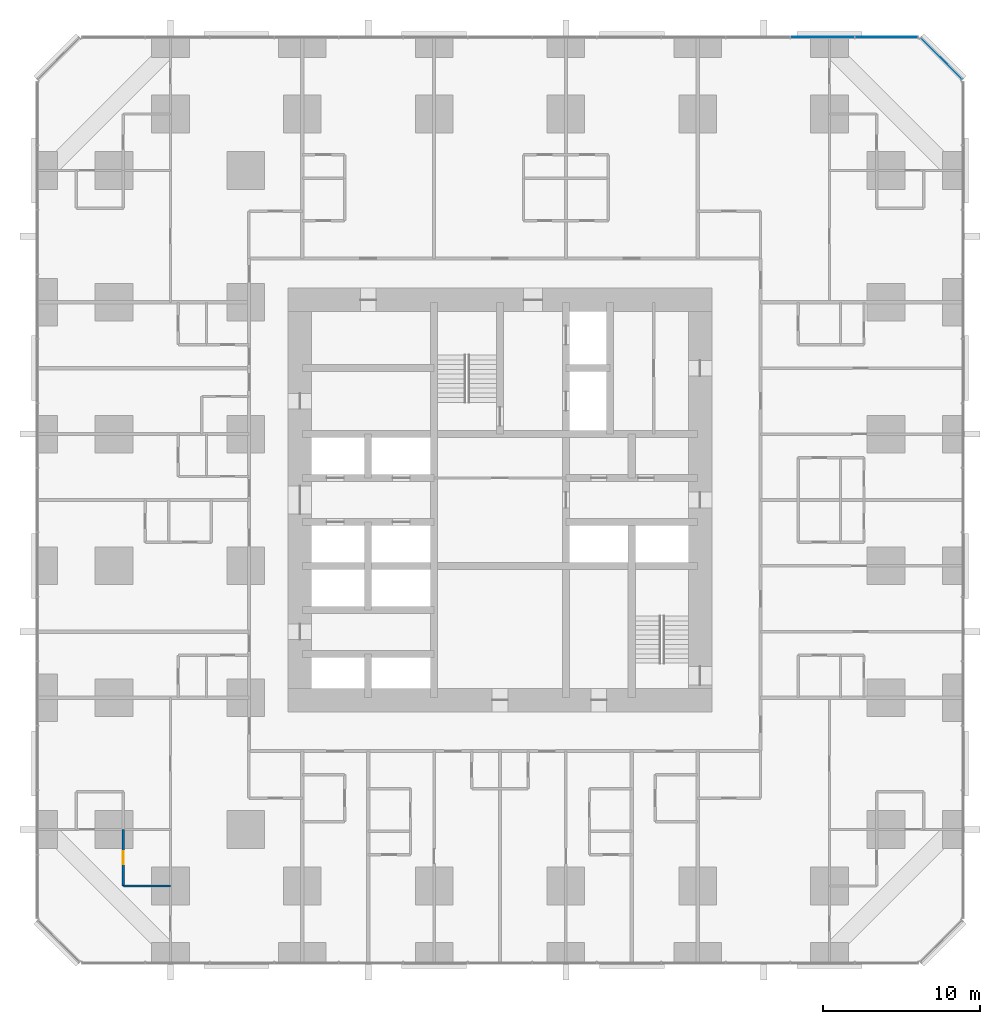
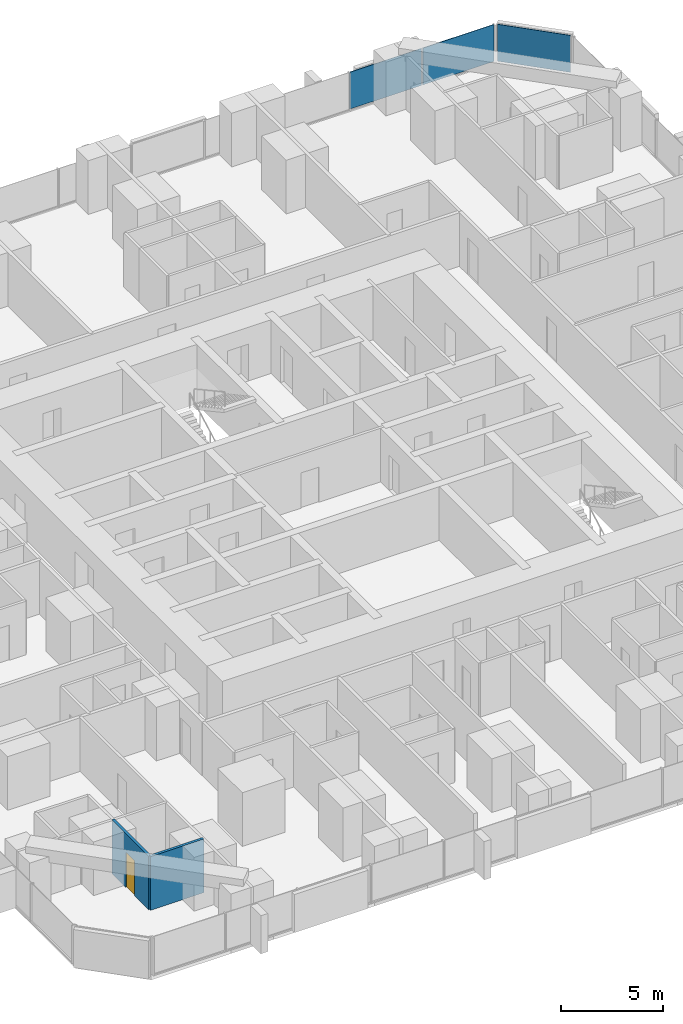
# One storey, part 9 of 16: 3 plates, 2 walls, 1 door, 1 opening, 2 elements without a shape of their own.
"""IFC4 building model written with IfcOpenShell, lengths in metres."""

from ifc_helpers import new_model, si_unit, direction, frame, frame_2d, origin, origin_2d, place, context, subcontext, project, spatial, rectangle, extrude, material, layer, layer_set, type_object, element, fill, aggregate, save


model = new_model("IFC4")

# Units and contexts
model_context = context("Model", 3, precision=1e-05, world=origin(), true_north=direction((0.0, 1.0)))
body_context = subcontext(model_context, "Body", "Model", "MODEL_VIEW")
ifc_project = project(units=[si_unit("LENGTHUNIT", "METRE"), si_unit("AREAUNIT", "SQUARE_METRE"), si_unit("VOLUMEUNIT", "CUBIC_METRE"), si_unit("PLANEANGLEUNIT", "RADIAN"), si_unit("MASSUNIT", "GRAM", prefix="KILO")], contexts=[model_context])

# Site, building, storey
site_placement = place(None, origin())
site = spatial("IfcSite", under=ifc_project, at=site_placement, CompositionType="ELEMENT")
building_placement = place(site_placement, origin())
building = spatial("IfcBuilding", under=site, at=building_placement, Name="Dunama Terrace Hotel", CompositionType="ELEMENT")
storey_placement = place(building_placement, frame((0.0, 0.0, 84.60009765625)))
storey = spatial("IfcBuildingStorey", under=building, at=storey_placement, Name="L21", CompositionType="ELEMENT", Elevation=84.60009765625)

# Curtain wall, plate
ifc_material_1 = material(Name="Aluminium curtain wall system", Category="aluminium")
curtain_wall_type = type_object("IfcCurtainWallType", Name="Unitised fritted glass wall CW-A", PredefinedType="NOTDEFINED", material=ifc_material_1)
curtain_wall_1_placement = place(storey_placement, origin())
curtain_wall_1 = element("IfcCurtainWall", 1, at=curtain_wall_1_placement, inside=storey, type_object=curtain_wall_type, Name="Unitised fritted glass wall CW-A L21", PredefinedType="NOTDEFINED")
ifc_material_2 = material(Name="Laminated glass", Category="glass")
ifc_layer_1 = layer(ifc_material_2, 0.030029296875)
ifc_layer_set_1 = layer_set([ifc_layer_1], Name="CWA clear glass panel")
plate_type_1 = type_object("IfcPlateType", Name="CWA clear glass panel", PredefinedType="CURTAIN_PANEL", material=ifc_layer_set_1)
plate_1_placement = place(storey_placement, frame((57.52099609375, 57.52099609375, 0.074951171875), z_axis=(0.0, 0.0, 1.0), x_axis=(-0.707106781187, 0.707106781187, 0.0)))
plate_1 = element("IfcPlate", 2, at=plate_1_placement, type_object=plate_type_1, Name="CWA clear glass panel", PredefinedType="CURTAIN_PANEL", context=body_context, shape_type="SweptSolid", body=[
    extrude(rectangle(XDim=3.6884765625, YDim=0.030029296875, at=origin_2d()), origin(), (0.0, 0.0, 1.0), 2.2041015625),
])
aggregate(curtain_wall_1, [plate_1])

# Curtain wall, plates
curtain_wall_2_placement = place(storey_placement, origin())
curtain_wall_2 = element("IfcCurtainWall", 3, at=curtain_wall_2_placement, inside=storey, type_object=curtain_wall_type, Name="Unitised fritted glass wall CW-A L21", PredefinedType="NOTDEFINED")
ifc_material_3 = material(Name="Fritted laminated glass", Category="glass")
ifc_layer_2 = layer(ifc_material_3, 0.030029296875)
ifc_layer_set_2 = layer_set([ifc_layer_2], Name="CWA fritted glass panel")
plate_type_2 = type_object("IfcPlateType", Name="CWA fritted glass panel", PredefinedType="CURTAIN_PANEL", material=ifc_layer_set_2)
plate_2_placement = place(storey_placement, frame((49.93798828125, 58.89990234375, 0.074951171875), z_axis=(0.0, 0.0, 1.0), x_axis=(-1.0, 0.0, 0.0)))
plate_2 = element("IfcPlate", 4, at=plate_2_placement, type_object=plate_type_2, Name="CWA fritted glass panel", PredefinedType="CURTAIN_PANEL", context=body_context, shape_type="SweptSolid", body=[
    extrude(rectangle(XDim=4.042724609375, YDim=0.030029296875, at=origin_2d()), origin(), (0.0, 0.0, 1.0), 2.2041015625),
])
ifc_material_4 = material(Name="Laminated glass", Category="glass")
ifc_layer_3 = layer(ifc_material_4, 0.030029296875)
ifc_layer_set_3 = layer_set([ifc_layer_3], Name="CWA operable glass panel")
plate_type_3 = type_object("IfcPlateType", Name="CWA operable glass panel", PredefinedType="CURTAIN_PANEL", material=ifc_layer_set_3)
plate_3_placement = place(storey_placement, frame((54.030029296875, 58.89990234375, 0.074951171875), z_axis=(0.0, 0.0, 1.0), x_axis=(-1.0, 0.0, 0.0)))
plate_3 = element("IfcPlate", 5, at=plate_3_placement, type_object=plate_type_3, Name="CWA operable glass panel", PredefinedType="CURTAIN_PANEL", context=body_context, shape_type="SweptSolid", body=[
    extrude(rectangle(XDim=4.01025390625, YDim=0.030029296875, at=origin_2d()), origin(), (0.0, 0.0, 1.0), 2.2041015625),
])
aggregate(curtain_wall_2, [plate_3, plate_2])

# Wall, opening, door
ifc_material_5 = material(Name="Gypsum board partition", Category="masonry")
ifc_layer_4 = layer(ifc_material_5, 0.14990234375)
ifc_layer_set_4 = layer_set([ifc_layer_4], Name="Bathroom partition 150")
wall_type = type_object("IfcWallType", Name="Bathroom partition 150", PredefinedType="PARTITIONING", material=ifc_layer_set_4)
wall_1_placement = place(storey_placement, frame((5.39990234375, 4.800048828125, 0.0), z_axis=(0.0, 0.0, 1.0), x_axis=(0.0, 1.0, 0.0)))
wall_1 = element("IfcWall", 6, at=wall_1_placement, inside=storey, type_object=wall_type, Name="Bathroom partition 150 L21", PredefinedType="PARTITIONING", context=body_context, shape_type="SweptSolid", body=[
    extrude(rectangle(XDim=3.599853515625, YDim=0.14990234375, at=frame_2d((1.7998046875, 0.0))), origin(), (0.0, 0.0, 1.0), 3.199951171875),
])
opening_placement = place(wall_1_placement, frame((1.375, 0.0, 0.0)))
opening = element("IfcOpeningElement", 7, at=opening_placement, cuts=wall_1, Name="Opening L21-063", PredefinedType="OPENING", context=body_context, shape_type="SweptSolid", body=[
    extrude(rectangle(XDim=0.85009765625, YDim=2.10009765625, at=frame_2d((0.425048828125, 1.050048828125))), frame((0.0, 0.0849609375, 0.0), z_axis=(0.0, -1.0, 0.0), x_axis=(1.0, 0.0, 0.0)), (0.0, 0.0, 1.0), 0.169921875),
])
ifc_material_6 = material(Name="Timber door with steel frame", Category="steel")
door_type = type_object("IfcDoorType", Name="Bathroom door 850", OperationType="SINGLE_SWING_LEFT", PredefinedType="DOOR", material=ifc_material_6)
door_placement = place(opening_placement, frame((0.85009765625, 0.0, 0.0), z_axis=(0.0, 0.0, 1.0), x_axis=(-1.0, 0.0, 0.0)))
door = element("IfcDoor", 8, at=door_placement, inside=storey, type_object=door_type, Name="Door to en-suite bathroom L21-063, type D2", OperationType="SINGLE_SWING_LEFT", OverallHeight=2.10009765625, OverallWidth=0.85009765625, PredefinedType="DOOR", context=body_context, shape_type="SweptSolid", body=[
    extrude(rectangle(XDim=0.85009765625, YDim=2.10009765625, at=frame_2d((0.425048828125, 1.050048828125))), frame((0.0, 0.025146484375, 0.0), z_axis=(0.0, -1.0, 0.0), x_axis=(1.0, 0.0, 0.0)), (0.0, 0.0, 1.0), 0.050048828125),
])
fill(opening, door)

# Wall
wall_2_placement = place(storey_placement, frame((5.39990234375, 4.800048828125, 0.0), z_axis=(0.0, 0.0, 1.0), x_axis=(1.0, 0.0, 0.0)))
element("IfcWall", 9, at=wall_2_placement, inside=storey, type_object=wall_type, Name="Bathroom partition 150 L21", PredefinedType="PARTITIONING", context=body_context, shape_type="SweptSolid", body=[
    extrude(rectangle(XDim=3.0, YDim=0.14990234375, at=frame_2d((1.5, 0.0))), origin(), (0.0, 0.0, 1.0), 3.199951171875),
])

save(model, "model.ifc")
